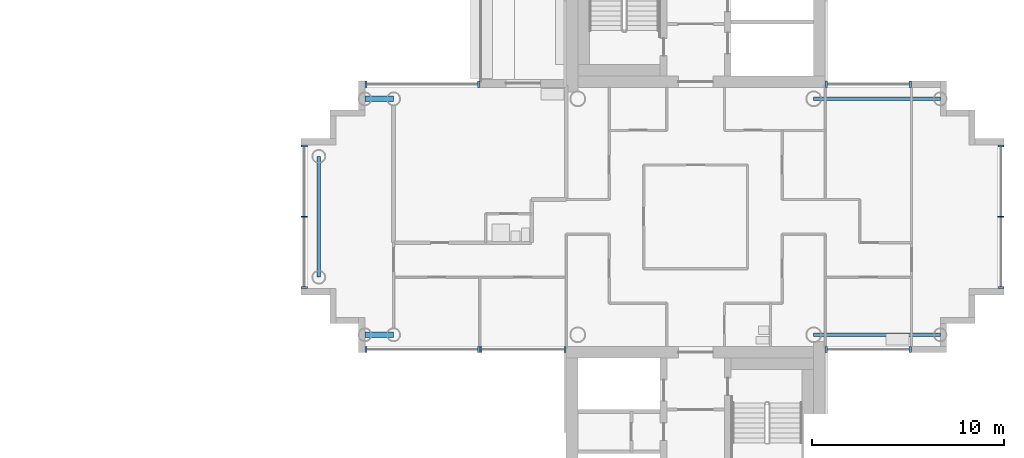
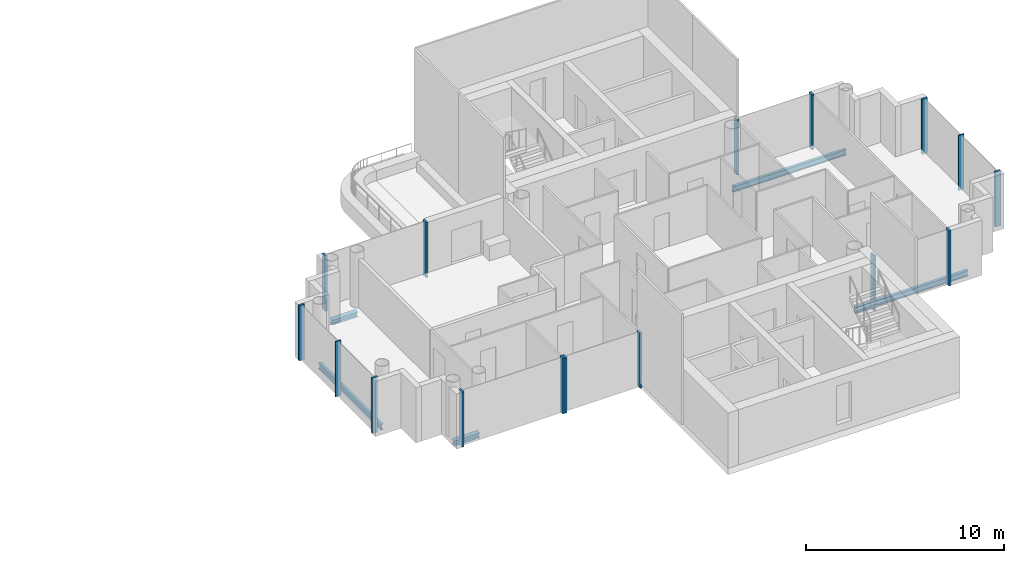
# One storey, part 4 of 18: 16 members, 5 beams, 7 elements without a shape of their own.
"""IFC4 building model written with IfcOpenShell, lengths in metres."""

import ifcopenshell
import ifcopenshell.guid

model = None  # the IFC model being written
_history = None  # IfcOwnerHistory: only IFC2X3 demands one
_inside = {}  # id of a spatial element -> (the spatial element, [elements in it])
_under = {}  # id of a project, library or spatial element -> (it, [spatial elements below it])
_declared = {}  # id of a project -> (the project, [libraries it declares])
_typed = {}  # id of a type object -> (the type object, [elements of that type])
_made_of = {}  # id of a material, layer set ... -> (it, [elements and type objects made of it])


def new_model(schema):
    """Start an empty IFC model of exactly this schema.

    Asked for "IFC4X3", IfcOpenShell would pick the latest addendum, in which some entities
    have other attributes; the version numbers below select the first issue.
    IFC2X3 requires an IfcOwnerHistory on every rooted entity: one is made here for all.
    """
    global model, _history
    if schema == "IFC4X3":
        model = ifcopenshell.file(schema_version=(4, 3, 0, 0))
    else:
        model = ifcopenshell.file(schema=schema)
    _inside.clear()
    _under.clear()
    _declared.clear()
    _typed.clear()
    _made_of.clear()
    _history = None
    if model.schema == "IFC2X3":
        org = make("IfcOrganization", Name="unknown")
        user = make(
            "IfcPersonAndOrganization",
            ThePerson=make("IfcPerson", FamilyName="unknown"),
            TheOrganization=org,
        )
        app = make(
            "IfcApplication",
            ApplicationDeveloper=org,
            Version="unknown",
            ApplicationFullName="unknown",
            ApplicationIdentifier="unknown",
        )
        _history = make(
            "IfcOwnerHistory",
            OwningUser=user,
            OwningApplication=app,
            ChangeAction="ADDED",
            CreationDate=0,
        )
    return model


def make(cls, **values):
    """One entity of the class cls with the attributes given. An attribute that is None is left unset."""
    return model.create_entity(
        cls, **{name: value for name, value in values.items() if value is not None}
    )


def rooted(cls, **values):
    """An entity with a GlobalId (a new one), such as an element, a storey or a relation."""
    return make(cls, GlobalId=ifcopenshell.guid.new(), OwnerHistory=_history, **values)


def si_unit(unit_type, name, prefix=None):
    """IfcSIUnit, for example si_unit("LENGTHUNIT", "METRE", prefix="MILLI")."""
    return make("IfcSIUnit", UnitType=unit_type, Prefix=prefix, Name=name)


def assignment(units):
    """IfcUnitAssignment: the units of a project."""
    return None if units is None else make("IfcUnitAssignment", Units=units)


def point(xyz):
    """IfcCartesianPoint."""
    return None if xyz is None else make("IfcCartesianPoint", Coordinates=xyz)


def direction(xyz):
    """IfcDirection."""
    return None if xyz is None else make("IfcDirection", DirectionRatios=xyz)


def frame(location, z_axis=None, x_axis=None):
    """IfcAxis2Placement3D, a coordinate frame: its origin and axes. An axis left out is left unset."""
    return make(
        "IfcAxis2Placement3D",
        Location=point(location),
        Axis=direction(z_axis),
        RefDirection=direction(x_axis),
    )


def frame_2d(location, x_axis=None):
    """IfcAxis2Placement2D, a coordinate frame in the plane: its origin and x axis."""
    return make(
        "IfcAxis2Placement2D", Location=point(location), RefDirection=direction(x_axis)
    )


def origin():
    """The frame at (0, 0, 0) with its axes left unset."""
    return frame((0.0, 0.0, 0.0))


def origin_2d():
    """The frame at (0, 0) in the plane with its x axis left unset."""
    return frame_2d((0.0, 0.0))


def place(relative_to, where):
    """IfcLocalPlacement: puts the frame where relative to a parent placement (None: the world)."""
    return make(
        "IfcLocalPlacement", PlacementRelTo=relative_to, RelativePlacement=where
    )


def context(
    kind, dimensions, precision=None, world=None, true_north=None, identifier=None
):
    """IfcGeometricRepresentationContext, for example the 3D "Model" context."""
    return make(
        "IfcGeometricRepresentationContext",
        ContextIdentifier=identifier,
        ContextType=kind,
        CoordinateSpaceDimension=dimensions,
        Precision=precision,
        WorldCoordinateSystem=world,
        TrueNorth=true_north,
    )


def subcontext(parent, identifier, kind, view, scale=None):
    """IfcGeometricRepresentationSubContext, for example "Body" below "Model"."""
    return make(
        "IfcGeometricRepresentationSubContext",
        ContextIdentifier=identifier,
        ContextType=kind,
        ParentContext=parent,
        TargetScale=scale,
        TargetView=view,
    )


def project(units=None, contexts=None):
    """IfcProject with its units and contexts."""
    return rooted(
        "IfcProject",
        Name="project",
        RepresentationContexts=contexts,
        UnitsInContext=assignment(units),
    )


def spatial(cls, under=None, at=None, **own):
    """A site, building, storey or space (cls), placed at a placement, below another one or the project."""
    s = rooted(cls, ObjectPlacement=at, **own)
    if under is not None:
        _under.setdefault(under.id(), (under, []))[1].append(s)
    return s


def profile(cls, at=None, kind="AREA", **sizes):
    """A parametric profile (cls). Its sizes go by their IFC names, for example OverallWidth=200.0."""
    return make(cls, ProfileType=kind, Position=at, **sizes)


def rectangle(**sizes):
    """IfcRectangleProfileDef."""
    return profile("IfcRectangleProfileDef", **sizes)


def i_section(**sizes):
    """IfcIShapeProfileDef."""
    return profile("IfcIShapeProfileDef", **sizes)


def extrude(swept, where, along, depth):
    """IfcExtrudedAreaSolid: the profile swept, set in the frame where, extruded along a direction by depth."""
    return make(
        "IfcExtrudedAreaSolid",
        SweptArea=swept,
        Position=where,
        ExtrudedDirection=direction(along),
        Depth=depth,
    )


def shape(context_of_items, identifier, shape_type, items):
    """IfcShapeRepresentation: the items that make up one representation, for example the "Body"."""
    return make(
        "IfcShapeRepresentation",
        ContextOfItems=context_of_items,
        RepresentationIdentifier=identifier,
        RepresentationType=shape_type,
        Items=items,
    )


def material(Name=None, Category=None):
    """IfcMaterial."""
    return make("IfcMaterial", Name=Name, Category=Category)


def layer(
    of_material, thickness, ventilated=None, Name=None, Category=None, Priority=None
):
    """IfcMaterialLayer: one layer of a wall or slab, of a material (None: an air gap)."""
    return make(
        "IfcMaterialLayer",
        Material=of_material,
        LayerThickness=thickness,
        IsVentilated=ventilated,
        Name=Name,
        Category=Category,
        Priority=Priority,
    )


def layer_set(layers, Name=None):
    """IfcMaterialLayerSet."""
    return make("IfcMaterialLayerSet", MaterialLayers=layers, LayerSetName=Name)


def material_profile(
    of_material, cross_section, Name=None, Category=None, Priority=None
):
    """IfcMaterialProfile: a cross section and its material."""
    return make(
        "IfcMaterialProfile",
        Name=Name,
        Material=of_material,
        Profile=cross_section,
        Priority=Priority,
        Category=Category,
    )


def profile_set(profiles, Name=None, composite=None):
    """IfcMaterialProfileSet."""
    return make(
        "IfcMaterialProfileSet",
        Name=Name,
        MaterialProfiles=profiles,
        CompositeProfile=composite,
    )


def made_of(thing, what):
    """Note that an element or type object is made of a material, layer set ...; save() writes the relation."""
    if what is not None:
        _made_of.setdefault(what.id(), (what, []))[1].append(thing)
    return thing


def type_object(cls, material=None, **own):
    """A type object (cls), such as IfcWallType, which elements share."""
    return made_of(rooted(cls, **own), material)


def element(
    cls,
    number,
    at=None,
    inside=None,
    cuts=None,
    type_object=None,
    material=None,
    context=None,
    identifier="Body",
    shape_type=None,
    held_by="IfcProductDefinitionShape",
    body=None,
    shapes=None,
    **own,
):
    """One element of the class cls, such as IfcWall. Its Tag is "e" and its number.

    at: its placement. inside: the storey or other place that contains it. cuts: it is an
    opening in that element (IfcRelVoidsElement). A single representation is given by context,
    identifier, shape_type and body (its items); several are given by shapes. held_by: the class
    of the entity that holds the representations. save() writes the other relations.
    """
    e = rooted(cls, Tag="e%d" % number, ObjectPlacement=at, **own)
    if body is not None:
        shapes = [shape(context, identifier, shape_type, body)]
    if shapes is not None:
        e.Representation = make(held_by, Representations=shapes)
    if inside is not None:
        _inside.setdefault(inside.id(), (inside, []))[1].append(e)
    if cuts is not None:
        rooted(
            "IfcRelVoidsElement", RelatingBuildingElement=cuts, RelatedOpeningElement=e
        )
    if type_object is not None:
        _typed.setdefault(type_object.id(), (type_object, []))[1].append(e)
    return made_of(e, material)


def aggregate(whole, parts):
    """IfcRelAggregates: a whole, such as a stair, and the parts it consists of."""
    return rooted("IfcRelAggregates", RelatingObject=whole, RelatedObjects=parts)


def save(model, path):
    """Write the relations noted so far, then the file.

    IfcRelAggregates (storeys below a building ...), IfcRelContainedInSpatialStructure (elements
    in a storey), IfcRelDefinesByType, IfcRelAssociatesMaterial and IfcRelDeclares: one each for
    every whole, place, type object, material and project.
    """
    for whole, parts in _under.values():
        aggregate(whole, parts)
    for where, things in _inside.values():
        rooted(
            "IfcRelContainedInSpatialStructure",
            RelatedElements=things,
            RelatingStructure=where,
        )
    for kind, things in _typed.values():
        rooted("IfcRelDefinesByType", RelatedObjects=things, RelatingType=kind)
    for what, things in _made_of.values():
        rooted("IfcRelAssociatesMaterial", RelatedObjects=things, RelatingMaterial=what)
    for by, libraries in _declared.values():
        rooted("IfcRelDeclares", RelatingContext=by, RelatedDefinitions=libraries)
    model.write(path)


model = new_model("IFC4")

# Units and contexts
model_context = context("Model", 3, precision=1e-05, world=origin(), true_north=direction((0.0, 1.0)))
body_context = subcontext(model_context, "Body", "Model", "MODEL_VIEW")
ifc_project = project(units=[si_unit("LENGTHUNIT", "METRE"), si_unit("AREAUNIT", "SQUARE_METRE"), si_unit("VOLUMEUNIT", "CUBIC_METRE"), si_unit("PLANEANGLEUNIT", "RADIAN"), si_unit("MASSUNIT", "GRAM", prefix="KILO")], contexts=[model_context])

# Site, building, storey
site_placement = place(None, origin())
site = spatial("IfcSite", under=ifc_project, at=site_placement, CompositionType="ELEMENT")
building_placement = place(site_placement, origin())
building = spatial("IfcBuilding", under=site, at=building_placement, Name="Ipe Terrace Towers", CompositionType="ELEMENT")
storey_placement = place(building_placement, frame((0.0, 0.0, 226.60009765625)))
storey = spatial("IfcBuildingStorey", under=building, at=storey_placement, Name="L63", CompositionType="ELEMENT", Elevation=226.60009765625)

# Beams
ifc_material_1 = material(Name="Steel S355", Category="steel")
ifc_material_profile_1 = material_profile(ifc_material_1, i_section(OverallWidth=0.300048828125, OverallDepth=0.300048828125, WebThickness=0.010009765625, FlangeThickness=0.014892578125, at=origin_2d()), Name="H-300x300x10x15")
ifc_profile_set_1 = profile_set([ifc_material_profile_1], Name="Steel S355")
beam_type_1 = type_object("IfcBeamType", Name="H03 EDGE BEAM H-300x300x10x15", PredefinedType="BEAM", material=ifc_profile_set_1)
for number, where, z_axis, x_axis, name in (
    (1, (20.25, 6.14990234375, -0.550048828125), (-1.0, 0.0, 0.0), (0.0, -1.0, 0.0), "Edge beam T2-EB-B03-B05"),
    (2, (20.25, -6.14990234375, -0.550048828125), (-1.0, 0.0, 0.0), (0.0, -1.0, 0.0), "Edge beam T2-EB-B04-B06"),
):
    element("IfcBeam", number, at=place(storey_placement, frame(where, z_axis=z_axis, x_axis=x_axis)), inside=storey, type_object=beam_type_1, Name=name, PredefinedType="BEAM", context=body_context, shape_type="SweptSolid", body=[
        extrude(i_section(OverallWidth=0.300048828125, OverallDepth=0.300048828125, WebThickness=0.010009765625, FlangeThickness=0.014892578125, at=origin_2d()), origin(), (0.0, 0.0, 1.0), 1.5),
    ])
ifc_material_2 = material(Name="Steel S355", Category="steel")
ifc_material_profile_2 = material_profile(ifc_material_2, i_section(OverallWidth=0.175048828125, OverallDepth=0.35009765625, WebThickness=0.007080078125, FlangeThickness=0.010986328125, at=origin_2d()), Name="H-350x175x7x11")
ifc_profile_set_2 = profile_set([ifc_material_profile_2], Name="Steel S355")
beam_type_2 = type_object("IfcBeamType", Name="H04 EDGE BEAM H-350x175x7x11", PredefinedType="BEAM", material=ifc_profile_set_2)
beam_placement = place(storey_placement, frame((16.35009765625, 3.14990234375, -0.5751953125), z_axis=(0.0, -1.0, 0.0), x_axis=(1.0, 0.0, 0.0)))
element("IfcBeam", 3, at=beam_placement, inside=storey, type_object=beam_type_2, Name="Edge beam T2-EB-B07-B08", PredefinedType="BEAM", context=body_context, shape_type="SweptSolid", body=[
    extrude(i_section(OverallWidth=0.175048828125, OverallDepth=0.35009765625, WebThickness=0.007080078125, FlangeThickness=0.010986328125, at=origin_2d()), origin(), (0.0, 0.0, 1.0), 6.2998046875),
])
for number, where, z_axis, x_axis, name in (
    (4, (48.75, -6.14990234375, -0.5751953125), (-1.0, 0.0, 0.0), (0.0, -1.0, 0.0), "Edge beam T2-EB-D01-E01"),
    (5, (48.75, 6.14990234375, -0.5751953125), (-1.0, 0.0, 0.0), (0.0, -1.0, 0.0), "Edge beam T2-EB-D02-E02"),
):
    element("IfcBeam", number, at=place(storey_placement, frame(where, z_axis=z_axis, x_axis=x_axis)), inside=storey, type_object=beam_type_2, Name=name, PredefinedType="BEAM", context=body_context, shape_type="SweptSolid", body=[
        extrude(i_section(OverallWidth=0.175048828125, OverallDepth=0.35009765625, WebThickness=0.007080078125, FlangeThickness=0.010986328125, at=origin_2d()), origin(), (0.0, 0.0, 1.0), 6.60009765625),
    ])

# Curtain wall, members
ifc_material_3 = material(Name="Aluminium alloy 6063-T6", Category="aluminium")
ifc_layer = layer(ifc_material_3, 0.320068359375)
ifc_layer_set = layer_set([ifc_layer], Name="TOWER UNITISED CURTAIN WALL")
curtain_wall_type = type_object("IfcCurtainWallType", Name="TOWER UNITISED CURTAIN WALL", PredefinedType="NOTDEFINED", material=ifc_layer_set)
curtain_wall_1_placement = place(storey_placement, origin())
curtain_wall_1 = element("IfcCurtainWall", 6, at=curtain_wall_1_placement, inside=storey, type_object=curtain_wall_type, Name="T2-CW-L63-02a curtain wall", PredefinedType="NOTDEFINED")
ifc_material_4 = material(Name="Aluminium alloy 6063-T6", Category="aluminium")
ifc_material_profile_3 = material_profile(ifc_material_4, rectangle(XDim=0.320068359375, YDim=0.1201171875, at=origin_2d()), Name="TOWER UNITISED CORNER MULLION 320 x 120")
ifc_profile_set_3 = profile_set([ifc_material_profile_3], Name="Aluminium alloy 6063-T6")
member_type_1 = type_object("IfcMemberType", Name="TOWER UNITISED CORNER MULLION 320 x 120", PredefinedType="MULLION", material=ifc_profile_set_3)
member_1_placement = place(storey_placement, frame((42.81005859375, -6.909912109375, -0.300048828125), z_axis=(0.0, 0.0, 1.0), x_axis=(0.0, -1.0, 0.0)))
member_1 = element("IfcMember", 7, at=member_1_placement, type_object=member_type_1, Name="T2-CW-L63-02a mullion 1", PredefinedType="MULLION", context=body_context, shape_type="SweptSolid", body=[
    extrude(rectangle(XDim=0.320068359375, YDim=0.1201171875, at=origin_2d()), origin(), (0.0, 0.0, 1.0), 3.39990234375),
])
member_2_placement = place(storey_placement, frame((47.18994140625, -6.909912109375, -0.300048828125), z_axis=(0.0, 0.0, 1.0), x_axis=(0.0, -1.0, 0.0)))
member_2 = element("IfcMember", 8, at=member_2_placement, type_object=member_type_1, Name="T2-CW-L63-02a mullion 2", PredefinedType="MULLION", context=body_context, shape_type="SweptSolid", body=[
    extrude(rectangle(XDim=0.320068359375, YDim=0.1201171875, at=origin_2d()), origin(), (0.0, 0.0, 1.0), 3.39990234375),
])
aggregate(curtain_wall_1, [member_1, member_2])

curtain_wall_2_placement = place(storey_placement, origin())
curtain_wall_2 = element("IfcCurtainWall", 9, at=curtain_wall_2_placement, inside=storey, type_object=curtain_wall_type, Name="T2-CW-L63-08a curtain wall", PredefinedType="NOTDEFINED")
member_3_placement = place(storey_placement, frame((51.909912109375, -3.68994140625, -0.300048828125), z_axis=(0.0, 0.0, 1.0), x_axis=(1.0, 0.0, 0.0)))
member_3 = element("IfcMember", 10, at=member_3_placement, type_object=member_type_1, Name="T2-CW-L63-08a mullion 1", PredefinedType="MULLION", context=body_context, shape_type="SweptSolid", body=[
    extrude(rectangle(XDim=0.320068359375, YDim=0.1201171875, at=origin_2d()), origin(), (0.0, 0.0, 1.0), 3.39990234375),
])
member_4_placement = place(storey_placement, frame((51.909912109375, 3.68994140625, -0.300048828125), z_axis=(0.0, 0.0, 1.0), x_axis=(1.0, 0.0, 0.0)))
member_4 = element("IfcMember", 11, at=member_4_placement, type_object=member_type_1, Name="T2-CW-L63-08a mullion 3", PredefinedType="MULLION", context=body_context, shape_type="SweptSolid", body=[
    extrude(rectangle(XDim=0.320068359375, YDim=0.1201171875, at=origin_2d()), origin(), (0.0, 0.0, 1.0), 3.39990234375),
])

curtain_wall_3_placement = place(storey_placement, origin())
curtain_wall_3 = element("IfcCurtainWall", 12, at=curtain_wall_3_placement, inside=storey, type_object=curtain_wall_type, Name="T2-CW-L63-14a curtain wall", PredefinedType="NOTDEFINED")
member_5_placement = place(storey_placement, frame((47.18994140625, 6.909912109375, -0.300048828125), z_axis=(0.0, 0.0, 1.0), x_axis=(0.0, 1.0, 0.0)))
member_5 = element("IfcMember", 13, at=member_5_placement, type_object=member_type_1, Name="T2-CW-L63-14a mullion 1", PredefinedType="MULLION", context=body_context, shape_type="SweptSolid", body=[
    extrude(rectangle(XDim=0.320068359375, YDim=0.1201171875, at=origin_2d()), origin(), (0.0, 0.0, 1.0), 3.39990234375),
])
member_6_placement = place(storey_placement, frame((42.81005859375, 6.909912109375, -0.300048828125), z_axis=(0.0, 0.0, 1.0), x_axis=(0.0, 1.0, 0.0)))
member_6 = element("IfcMember", 14, at=member_6_placement, type_object=member_type_1, Name="T2-CW-L63-14a mullion 2", PredefinedType="MULLION", context=body_context, shape_type="SweptSolid", body=[
    extrude(rectangle(XDim=0.320068359375, YDim=0.1201171875, at=origin_2d()), origin(), (0.0, 0.0, 1.0), 3.39990234375),
])
aggregate(curtain_wall_3, [member_5, member_6])

curtain_wall_4_placement = place(storey_placement, origin())
curtain_wall_4 = element("IfcCurtainWall", 15, at=curtain_wall_4_placement, inside=storey, type_object=curtain_wall_type, Name="T2-CW-L63-21a curtain wall", PredefinedType="NOTDEFINED")
member_7_placement = place(storey_placement, frame((24.68994140625, 6.909912109375, -0.300048828125), z_axis=(0.0, 0.0, 1.0), x_axis=(0.0, 1.0, 0.0)))
member_7 = element("IfcMember", 16, at=member_7_placement, type_object=member_type_1, Name="T2-CW-L63-21a mullion 1", PredefinedType="MULLION", context=body_context, shape_type="SweptSolid", body=[
    extrude(rectangle(XDim=0.320068359375, YDim=0.1201171875, at=origin_2d()), origin(), (0.0, 0.0, 1.0), 3.39990234375),
])
member_8_placement = place(storey_placement, frame((18.81005859375, 6.909912109375, -0.300048828125), z_axis=(0.0, 0.0, 1.0), x_axis=(0.0, 1.0, 0.0)))
member_8 = element("IfcMember", 17, at=member_8_placement, type_object=member_type_1, Name="T2-CW-L63-21a mullion 2", PredefinedType="MULLION", context=body_context, shape_type="SweptSolid", body=[
    extrude(rectangle(XDim=0.320068359375, YDim=0.1201171875, at=origin_2d()), origin(), (0.0, 0.0, 1.0), 3.39990234375),
])
aggregate(curtain_wall_4, [member_7, member_8])

curtain_wall_5_placement = place(storey_placement, origin())
curtain_wall_5 = element("IfcCurtainWall", 18, at=curtain_wall_5_placement, inside=storey, type_object=curtain_wall_type, Name="T2-CW-L63-26a curtain wall", PredefinedType="NOTDEFINED")
member_9_placement = place(storey_placement, frame((15.590087890625, 3.68994140625, -0.300048828125), z_axis=(0.0, 0.0, 1.0), x_axis=(-1.0, 0.0, 0.0)))
member_9 = element("IfcMember", 19, at=member_9_placement, type_object=member_type_1, Name="T2-CW-L63-26a mullion 1", PredefinedType="MULLION", context=body_context, shape_type="SweptSolid", body=[
    extrude(rectangle(XDim=0.320068359375, YDim=0.1201171875, at=origin_2d()), origin(), (0.0, 0.0, 1.0), 3.39990234375),
])
member_10_placement = place(storey_placement, frame((15.590087890625, -3.68994140625, -0.300048828125), z_axis=(0.0, 0.0, 1.0), x_axis=(-1.0, 0.0, 0.0)))
member_10 = element("IfcMember", 20, at=member_10_placement, type_object=member_type_1, Name="T2-CW-L63-26a mullion 3", PredefinedType="MULLION", context=body_context, shape_type="SweptSolid", body=[
    extrude(rectangle(XDim=0.320068359375, YDim=0.1201171875, at=origin_2d()), origin(), (0.0, 0.0, 1.0), 3.39990234375),
])

curtain_wall_6_placement = place(storey_placement, origin())
curtain_wall_6 = element("IfcCurtainWall", 21, at=curtain_wall_6_placement, inside=storey, type_object=curtain_wall_type, Name="T2-CW-L63-31a curtain wall", PredefinedType="NOTDEFINED")
member_11_placement = place(storey_placement, frame((18.81005859375, -6.909912109375, -0.300048828125), z_axis=(0.0, 0.0, 1.0), x_axis=(0.0, -1.0, 0.0)))
member_11 = element("IfcMember", 22, at=member_11_placement, type_object=member_type_1, Name="T2-CW-L63-31a mullion 1", PredefinedType="MULLION", context=body_context, shape_type="SweptSolid", body=[
    extrude(rectangle(XDim=0.320068359375, YDim=0.1201171875, at=origin_2d()), origin(), (0.0, 0.0, 1.0), 3.39990234375),
])
member_12_placement = place(storey_placement, frame((24.68994140625, -6.909912109375, -0.300048828125), z_axis=(0.0, 0.0, 1.0), x_axis=(0.0, -1.0, 0.0)))
member_12 = element("IfcMember", 23, at=member_12_placement, type_object=member_type_1, Name="T2-CW-L63-31a mullion 2", PredefinedType="MULLION", context=body_context, shape_type="SweptSolid", body=[
    extrude(rectangle(XDim=0.320068359375, YDim=0.1201171875, at=origin_2d()), origin(), (0.0, 0.0, 1.0), 3.39990234375),
])
aggregate(curtain_wall_6, [member_11, member_12])

curtain_wall_7_placement = place(storey_placement, origin())
curtain_wall_7 = element("IfcCurtainWall", 24, at=curtain_wall_7_placement, inside=storey, type_object=curtain_wall_type, Name="T2-CW-L63-32a curtain wall", PredefinedType="NOTDEFINED")
member_13_placement = place(storey_placement, frame((24.81005859375, -6.909912109375, -0.300048828125), z_axis=(0.0, 0.0, 1.0), x_axis=(0.0, -1.0, 0.0)))
member_13 = element("IfcMember", 25, at=member_13_placement, type_object=member_type_1, Name="T2-CW-L63-32a mullion 1", PredefinedType="MULLION", context=body_context, shape_type="SweptSolid", body=[
    extrude(rectangle(XDim=0.320068359375, YDim=0.1201171875, at=origin_2d()), origin(), (0.0, 0.0, 1.0), 3.39990234375),
])
member_14_placement = place(storey_placement, frame((29.18994140625, -6.909912109375, -0.300048828125), z_axis=(0.0, 0.0, 1.0), x_axis=(0.0, -1.0, 0.0)))
member_14 = element("IfcMember", 26, at=member_14_placement, type_object=member_type_1, Name="T2-CW-L63-32a mullion 2", PredefinedType="MULLION", context=body_context, shape_type="SweptSolid", body=[
    extrude(rectangle(XDim=0.320068359375, YDim=0.1201171875, at=origin_2d()), origin(), (0.0, 0.0, 1.0), 3.39990234375),
])
aggregate(curtain_wall_7, [member_13, member_14])

# Member
ifc_material_5 = material(Name="Aluminium alloy 6063-T6", Category="aluminium")
ifc_material_profile_4 = material_profile(ifc_material_5, rectangle(XDim=0.320068359375, YDim=0.06494140625, at=origin_2d()), Name="TOWER UNITISED MULLION 320 x 65")
ifc_profile_set_4 = profile_set([ifc_material_profile_4], Name="Aluminium alloy 6063-T6")
member_type_2 = type_object("IfcMemberType", Name="TOWER UNITISED MULLION 320 x 65", PredefinedType="MULLION", material=ifc_profile_set_4)
member_15_placement = place(storey_placement, frame((51.909912109375, 0.0, -0.300048828125), z_axis=(0.0, 0.0, 1.0), x_axis=(1.0, 0.0, 0.0)))
member_15 = element("IfcMember", 27, at=member_15_placement, type_object=member_type_2, Name="T2-CW-L63-08a mullion 2", PredefinedType="MULLION", context=body_context, shape_type="SweptSolid", body=[
    extrude(rectangle(XDim=0.320068359375, YDim=0.06494140625, at=origin_2d()), origin(), (0.0, 0.0, 1.0), 3.39990234375),
])

aggregate(curtain_wall_2, [member_3, member_15, member_4])

member_16_placement = place(storey_placement, frame((15.590087890625, 0.0, -0.300048828125), z_axis=(0.0, 0.0, 1.0), x_axis=(-1.0, 0.0, 0.0)))
member_16 = element("IfcMember", 28, at=member_16_placement, type_object=member_type_2, Name="T2-CW-L63-26a mullion 2", PredefinedType="MULLION", context=body_context, shape_type="SweptSolid", body=[
    extrude(rectangle(XDim=0.320068359375, YDim=0.06494140625, at=origin_2d()), origin(), (0.0, 0.0, 1.0), 3.39990234375),
])

aggregate(curtain_wall_5, [member_9, member_16, member_10])

save(model, "model.ifc")
